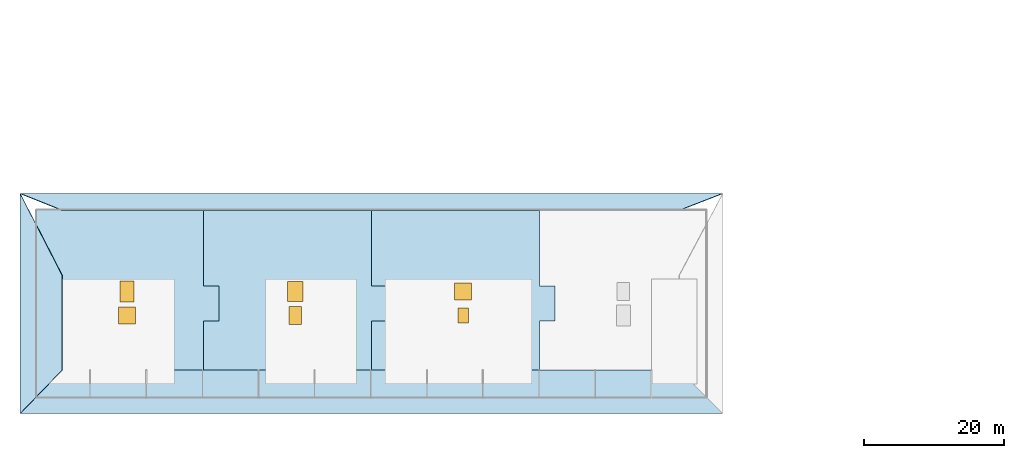
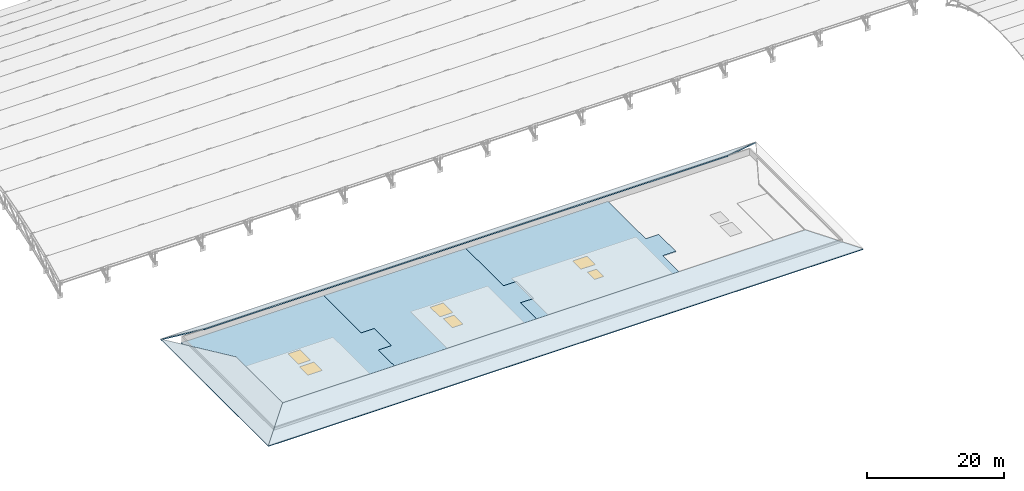
"""IFC4 building model written with IfcOpenShell, lengths in metres."""

from ifc_helpers import new_model, si_unit, direction, frame, origin, origin_2d, place, context, subcontext, project, spatial, polyline, rectangle, outline, extrude, material, layer, layer_set, type_object, element, fill, save


model = new_model("IFC4")

# Units and contexts
model_context = context("Model", 3, precision=1e-05, world=origin(), true_north=direction((0.0, 1.0)))
body_context = subcontext(model_context, "Body", "Model", "MODEL_VIEW")
ifc_project = project(units=[si_unit("LENGTHUNIT", "METRE"), si_unit("AREAUNIT", "SQUARE_METRE"), si_unit("VOLUMEUNIT", "CUBIC_METRE"), si_unit("PLANEANGLEUNIT", "RADIAN"), si_unit("MASSUNIT", "GRAM", prefix="KILO")], contexts=[model_context])

# Site, building, storey
site_placement = place(None, origin())
site = spatial("IfcSite", under=ifc_project, at=site_placement, CompositionType="ELEMENT")
building_placement = place(site_placement, origin())
building = spatial("IfcBuilding", under=site, at=building_placement, Name="Tlacozan Convention Centre", CompositionType="ELEMENT")
storey_1_placement = place(building_placement, frame((0.0, 0.0, 25.800048828125)))
storey_1 = spatial("IfcBuildingStorey", under=building, at=storey_1_placement, Name="Roof", CompositionType="ELEMENT", Elevation=25.800048828125)

# Slab, openings
ifc_material_1 = material(Name="Concrete C40/50", Category="concrete")
ifc_layer_1 = layer(ifc_material_1, 0.159912109375)
ifc_layer_set_1 = layer_set([ifc_layer_1], Name="Concrete C40/50")
slab_type_1 = type_object("IfcSlabType", Name="Congress Flat Roof Deck 160", PredefinedType="ROOF", material=ifc_layer_set_1)
slab_1_placement = place(storey_1_placement, frame((0.0, 0.0, -0.16015625)))
slab_1 = element("IfcSlab", 1, at=slab_1_placement, inside=storey_1, type_object=slab_type_1, Name="Roof Congress Flat Roof Deck 160 89", PredefinedType="ROOF", context=body_context, shape_type="SweptSolid", body=[
    extrude(outline(polyline([(24.14990234375, 0.0), (0.199951171875, 0.0), (0.199951171875, 27.0), (24.14990234375, 27.0), (24.14990234375, 16.0), (26.35009765625, 16.0), (26.35009765625, 11.0), (24.14990234375, 11.0), (24.14990234375, 0.0)])), origin(), (0.0, 0.0, 1.0), 0.16015625),
])
opening_1_placement = place(slab_1_placement, frame((13.27490234375, 11.800048828125, 0.0)))
opening_1 = element("IfcOpeningElement", 2, at=opening_1_placement, cuts=slab_1, Name="Opening SK-01", PredefinedType="OPENING", context=body_context, shape_type="SweptSolid", body=[
    extrude(rectangle(XDim=2.39990234375, YDim=2.39990234375, at=origin_2d()), frame((0.0, 0.0, -0.010009765625)), (0.0, 0.0, 1.0), 0.18017578125),
])
opening_2_placement = place(slab_1_placement, frame((13.27490234375, 15.199951171875, 0.0)))
opening_2 = element("IfcOpeningElement", 3, at=opening_2_placement, cuts=slab_1, Name="Opening SK-02", PredefinedType="OPENING", context=body_context, shape_type="SweptSolid", body=[
    extrude(rectangle(XDim=2.0, YDim=3.0, at=origin_2d()), frame((0.0, 0.0, -0.010009765625)), (0.0, 0.0, 1.0), 0.18017578125),
])

# Storey
storey_2_placement = place(building_placement, frame((0.0, 0.0, 21.0)))
storey_2 = spatial("IfcBuildingStorey", under=building, at=storey_2_placement, Name="L04", CompositionType="ELEMENT", Elevation=21.0)

# Window
ifc_material_2 = material(Name="Solar Control Double Low-E Argon Glazing", Category="glass")
window_type_1 = type_object("IfcWindowType", Name="Roof Daylight Skylight 2000x3000", PartitioningType="SINGLE_PANEL", PredefinedType="SKYLIGHT", material=ifc_material_2)
window_1_placement = place(opening_2_placement, frame((0.0, 0.0, 0.110107421875)))
window_1 = element("IfcWindow", 4, at=window_1_placement, inside=storey_2, type_object=window_type_1, Name="Roof Skylight 2", OverallHeight=3.0, OverallWidth=2.0, PartitioningType="SINGLE_PANEL", PredefinedType="SKYLIGHT", context=body_context, shape_type="SweptSolid", body=[
    extrude(rectangle(XDim=2.0, YDim=3.0, at=origin_2d()), origin(), (0.0, 0.0, 1.0), 0.050048828125),
])

fill(opening_2, window_1)

window_type_2 = type_object("IfcWindowType", Name="Roof Daylight Skylight 2400x2400", PartitioningType="SINGLE_PANEL", PredefinedType="SKYLIGHT", material=ifc_material_2)
window_2_placement = place(opening_1_placement, frame((0.0, 0.0, 0.110107421875)))
window_2 = element("IfcWindow", 5, at=window_2_placement, inside=storey_2, type_object=window_type_2, Name="Roof Skylight 1", OverallHeight=2.39990234375, OverallWidth=2.39990234375, PartitioningType="SINGLE_PANEL", PredefinedType="SKYLIGHT", context=body_context, shape_type="SweptSolid", body=[
    extrude(rectangle(XDim=2.39990234375, YDim=2.39990234375, at=origin_2d()), origin(), (0.0, 0.0, 1.0), 0.050048828125),
])

fill(opening_1, window_2)

# Slab, openings, windows
slab_2_placement = place(storey_1_placement, frame((0.0, 0.0, -0.16015625)))
slab_2 = element("IfcSlab", 6, at=slab_2_placement, inside=storey_1, type_object=slab_type_1, Name="Roof Congress Flat Roof Deck 160 90", PredefinedType="ROOF", context=body_context, shape_type="SweptSolid", body=[
    extrude(outline(polyline([(24.14990234375, 0.0), (24.14990234375, 11.0), (26.35009765625, 11.0), (26.35009765625, 16.0), (24.14990234375, 16.0), (24.14990234375, 27.0), (48.10009765625, 27.0), (48.10009765625, 16.0), (50.300048828125, 16.0), (50.300048828125, 11.0), (48.10009765625, 11.0), (48.10009765625, 0.0), (24.14990234375, 0.0)])), origin(), (0.0, 0.0, 1.0), 0.16015625),
])
opening_3_placement = place(slab_2_placement, frame((37.22509765625, 11.800048828125, 0.0)))
opening_3 = element("IfcOpeningElement", 7, at=opening_3_placement, cuts=slab_2, Name="Opening SK-03", PredefinedType="OPENING", context=body_context, shape_type="SweptSolid", body=[
    extrude(rectangle(XDim=1.800048828125, YDim=2.60009765625, at=origin_2d()), frame((0.0, 0.0, -0.010009765625)), (0.0, 0.0, 1.0), 0.18017578125),
])
opening_4_placement = place(slab_2_placement, frame((37.22509765625, 15.199951171875, 0.0)))
opening_4 = element("IfcOpeningElement", 8, at=opening_4_placement, cuts=slab_2, Name="Opening SK-04", PredefinedType="OPENING", context=body_context, shape_type="SweptSolid", body=[
    extrude(rectangle(XDim=2.199951171875, YDim=2.800048828125, at=origin_2d()), frame((0.0, 0.0, -0.010009765625)), (0.0, 0.0, 1.0), 0.18017578125),
])
window_type_3 = type_object("IfcWindowType", Name="Concourse Lantern Skylight 1800x2600", PartitioningType="SINGLE_PANEL", PredefinedType="SKYLIGHT", material=ifc_material_2)
window_3_placement = place(opening_3_placement, frame((0.0, 0.0, 0.110107421875)))
window_3 = element("IfcWindow", 9, at=window_3_placement, inside=storey_2, type_object=window_type_3, Name="Roof Skylight 3", OverallHeight=2.60009765625, OverallWidth=1.800048828125, PartitioningType="SINGLE_PANEL", PredefinedType="SKYLIGHT", context=body_context, shape_type="SweptSolid", body=[
    extrude(rectangle(XDim=1.800048828125, YDim=2.60009765625, at=origin_2d()), origin(), (0.0, 0.0, 1.0), 0.050048828125),
])
fill(opening_3, window_3)
window_type_4 = type_object("IfcWindowType", Name="Congress Atrium Skylight 2200x2800", PartitioningType="SINGLE_PANEL", PredefinedType="SKYLIGHT", material=ifc_material_2)
window_4_placement = place(opening_4_placement, frame((0.0, 0.0, 0.110107421875)))
window_4 = element("IfcWindow", 10, at=window_4_placement, inside=storey_2, type_object=window_type_4, Name="Roof Skylight 4", OverallHeight=2.800048828125, OverallWidth=2.199951171875, PartitioningType="SINGLE_PANEL", PredefinedType="SKYLIGHT", context=body_context, shape_type="SweptSolid", body=[
    extrude(rectangle(XDim=2.199951171875, YDim=2.800048828125, at=origin_2d()), origin(), (0.0, 0.0, 1.0), 0.050048828125),
])
fill(opening_4, window_4)

slab_3_placement = place(storey_1_placement, frame((0.0, 0.0, -0.16015625)))
slab_3 = element("IfcSlab", 11, at=slab_3_placement, inside=storey_1, type_object=slab_type_1, Name="Roof Congress Flat Roof Deck 160 91", PredefinedType="ROOF", context=body_context, shape_type="SweptSolid", body=[
    extrude(outline(polyline([(48.10009765625, 0.0), (48.10009765625, 11.0), (50.300048828125, 11.0), (50.300048828125, 16.0), (48.10009765625, 16.0), (48.10009765625, 27.0), (72.050048828125, 27.0), (72.050048828125, 16.0), (74.25, 16.0), (74.25, 11.0), (72.050048828125, 11.0), (72.050048828125, 0.0), (48.10009765625, 0.0)])), origin(), (0.0, 0.0, 1.0), 0.16015625),
])
opening_5_placement = place(slab_3_placement, frame((61.175048828125, 11.800048828125, 0.0)))
opening_5 = element("IfcOpeningElement", 12, at=opening_5_placement, cuts=slab_3, Name="Opening SK-05", PredefinedType="OPENING", context=body_context, shape_type="SweptSolid", body=[
    extrude(rectangle(XDim=1.5, YDim=2.10009765625, at=origin_2d()), frame((0.0, 0.0, -0.010009765625)), (0.0, 0.0, 1.0), 0.18017578125),
])
opening_6_placement = place(slab_3_placement, frame((61.175048828125, 15.199951171875, 0.0)))
opening_6 = element("IfcOpeningElement", 13, at=opening_6_placement, cuts=slab_3, Name="Opening SK-01", PredefinedType="OPENING", context=body_context, shape_type="SweptSolid", body=[
    extrude(rectangle(XDim=2.39990234375, YDim=2.39990234375, at=origin_2d()), frame((0.0, 0.0, -0.010009765625)), (0.0, 0.0, 1.0), 0.18017578125),
])
window_type_5 = type_object("IfcWindowType", Name="Boardroom Zenithal Skylight 1500x2100", PartitioningType="SINGLE_PANEL", PredefinedType="SKYLIGHT", material=ifc_material_2)
window_5_placement = place(opening_5_placement, frame((0.0, 0.0, 0.110107421875)))
window_5 = element("IfcWindow", 14, at=window_5_placement, inside=storey_2, type_object=window_type_5, Name="Roof Skylight 5", OverallHeight=2.10009765625, OverallWidth=1.5, PartitioningType="SINGLE_PANEL", PredefinedType="SKYLIGHT", context=body_context, shape_type="SweptSolid", body=[
    extrude(rectangle(XDim=1.5, YDim=2.10009765625, at=origin_2d()), origin(), (0.0, 0.0, 1.0), 0.050048828125),
])
fill(opening_5, window_5)
window_6_placement = place(opening_6_placement, frame((0.0, 0.0, 0.110107421875)))
window_6 = element("IfcWindow", 15, at=window_6_placement, inside=storey_2, type_object=window_type_2, Name="Roof Skylight 6", OverallHeight=2.39990234375, OverallWidth=2.39990234375, PartitioningType="SINGLE_PANEL", PredefinedType="SKYLIGHT", context=body_context, shape_type="SweptSolid", body=[
    extrude(rectangle(XDim=2.39990234375, YDim=2.39990234375, at=origin_2d()), origin(), (0.0, 0.0, 1.0), 0.050048828125),
])
fill(opening_6, window_6)

# Slabs
ifc_layer_2 = layer(ifc_material_1, 0.169921875)
ifc_layer_set_2 = layer_set([ifc_layer_2], Name="Concrete C40/50")
slab_type_2 = type_object("IfcSlabType", Name="Prairie Hipped Overhang Roof Slab 170", PredefinedType="ROOF", material=ifc_layer_set_2)
slab_4_placement = place(storey_1_placement, frame((-2.0, -2.199951171875, 0.050048828125), z_axis=(0.0, -0.278784318305, 0.960353738925), x_axis=(1.0, 0.0, 0.0)))
element("IfcSlab", 16, at=slab_4_placement, inside=storey_1, type_object=slab_type_2, Name="V1 Prairie Hipped Roof Slab SOUTH", PredefinedType="ROOF", context=body_context, shape_type="SweptSolid", body=[
    extrude(outline(polyline([(0.0, 0.0), (100.199951171875, 0.0), (94.0, 6.455903611949388), (6.0, 6.455903611949388), (0.0, 0.0)])), origin(), (0.0, 0.0, -1.0), 0.169921875),
])
slab_5_placement = place(storey_1_placement, frame((-2.0, 29.199951171875, 0.050048828125), z_axis=(-0.287319280374, 0.0, 0.957834866313), x_axis=(0.0, -1.0, 0.0)))
element("IfcSlab", 17, at=slab_5_placement, inside=storey_1, type_object=slab_type_2, Name="V1 Prairie Hipped Roof Slab WEST", PredefinedType="ROOF", context=body_context, shape_type="SweptSolid", body=[
    extrude(outline(polyline([(0.0, 0.0), (31.39990234375, 0.0), (25.199951171875, 6.264127785505893), (11.699951171875, 6.264127785505893), (0.0, 0.0)])), origin(), (0.0, 0.0, -1.0), 0.169921875),
])
slab_6_placement = place(storey_1_placement, frame((98.199951171875, 29.199951171875, 0.050048828125), z_axis=(0.0, 0.4472135955, 0.894427191), x_axis=(-1.0, 0.0, 0.0)))
element("IfcSlab", 18, at=slab_6_placement, inside=storey_1, type_object=slab_type_2, Name="V1 Prairie Hipped Roof Slab NORTH", PredefinedType="ROOF", context=body_context, shape_type="SweptSolid", body=[
    extrude(outline(polyline([(0.0, 0.0), (100.199951171875, 0.0), (94.199951171875, 2.6831723899930338), (6.199951171875, 2.6831723899930338), (0.0, 0.0)])), origin(), (0.0, 0.0, -1.0), 0.169921875),
])

save(model, "model.ifc")
